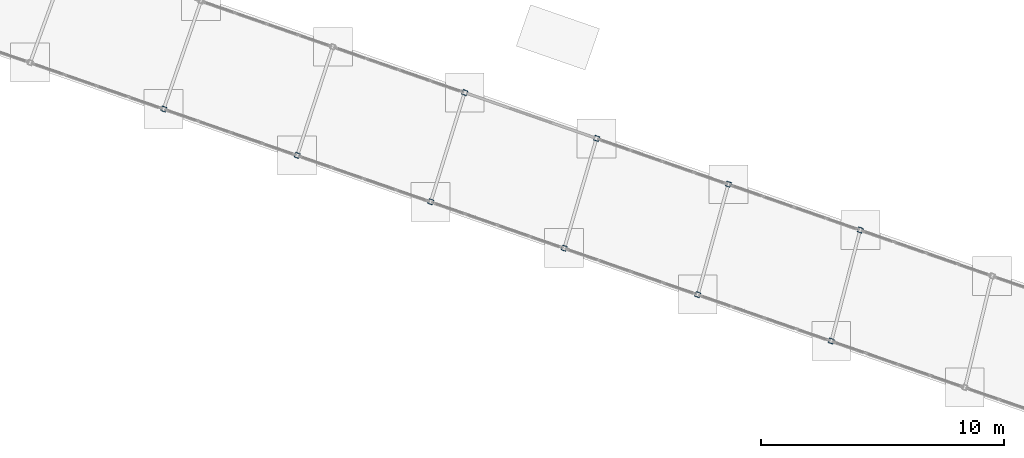
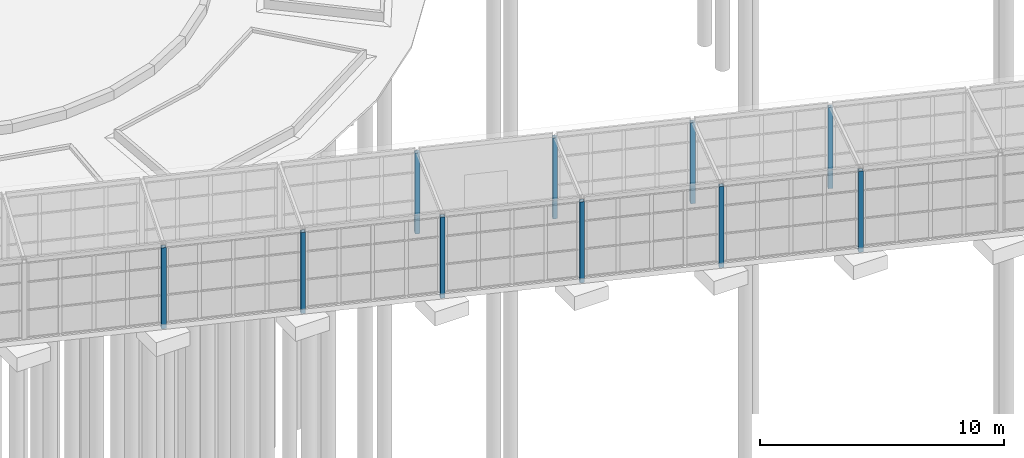
# One storey, part 16 of 226: 10 columns.
"""IFC4 building model written with IfcOpenShell, lengths in metres."""

from ifc_helpers import new_model, si_unit, direction, frame, origin, origin_2d, place, context, subcontext, project, spatial, hollow_rectangle, extrude, material, material_profile, profile_set, type_object, element, save


model = new_model("IFC4")

# Units and contexts
model_context = context("Model", 3, precision=1e-05, world=origin(), true_north=direction((0.0, 1.0)))
body_context = subcontext(model_context, "Body", "Model", "MODEL_VIEW")
ifc_project = project(units=[si_unit("LENGTHUNIT", "METRE"), si_unit("AREAUNIT", "SQUARE_METRE"), si_unit("VOLUMEUNIT", "CUBIC_METRE"), si_unit("PLANEANGLEUNIT", "RADIAN"), si_unit("MASSUNIT", "GRAM", prefix="KILO")], contexts=[model_context])

# Site, building, storey
site_placement = place(None, origin())
site = spatial("IfcSite", under=ifc_project, at=site_placement, CompositionType="ELEMENT")
building_placement = place(site_placement, origin())
building = spatial("IfcBuilding", under=site, at=building_placement, Name="Ceibo Conservatory and Research Tower", CompositionType="ELEMENT")
storey_placement = place(building_placement, origin())
storey = spatial("IfcBuildingStorey", under=building, at=storey_placement, Name="L00", CompositionType="ELEMENT", Elevation=0.0)

# Columns
ifc_material = material(Name="Steel S355J2H", Category="steel")
ifc_material_profile = material_profile(ifc_material, hollow_rectangle(XDim=0.199951171875, YDim=0.199951171875, WallThickness=0.010009765625, at=origin_2d()), Name="RHS column 200x200x10")
ifc_profile_set = profile_set([ifc_material_profile], Name="Steel S355J2H")
column_type = type_object("IfcColumnType", Name="RHS column 200x200x10", PredefinedType="COLUMN", material=ifc_profile_set)
for number, where, z_axis, x_axis, name in (
    (1, (92.1875, 56.14306640625, -0.25), (0.0, 0.0, 1.0), (0.944579236191, -0.328283515513, 0.0), "Gallery column AUD-VC-CS05"),
    (2, (97.67578125, 54.235595703125, -0.25), (0.0, 0.0, 1.0), (0.944579236191, -0.328283515513, 0.0), "Gallery column AUD-VC-CS06"),
    (3, (104.563720703125, 56.8173828125, -0.25), (0.0, 0.0, 1.0), (0.944579236191, -0.328283515513, 0.0), "Gallery column AUD-VC-CN07"),
    (4, (103.1640625, 52.328125, -0.25), (0.0, 0.0, 1.0), (0.944579236191, -0.328283515513, 0.0), "Gallery column AUD-VC-CS07"),
    (5, (109.984375, 54.93359375, -0.25), (0.0, 0.0, 1.0), (0.944579236191, -0.328283515513, 0.0), "Gallery column AUD-VC-CN08"),
    (6, (108.65234375, 50.420654296875, -0.25), (0.0, 0.0, 1.0), (0.944579236191, -0.328283515513, 0.0), "Gallery column AUD-VC-CS08"),
    (7, (115.40478515625, 53.049560546875, -0.25), (0.0, 0.0, 1.0), (0.944579236191, -0.328283515513, 0.0), "Gallery column AUD-VC-CN09"),
    (8, (114.140625, 48.51318359375, -0.25), (0.0, 0.0, 1.0), (0.944579236191, -0.328283515513, 0.0), "Gallery column AUD-VC-CS09"),
    (9, (120.825439453125, 51.165771484375, -0.25), (0.0, 0.0, 1.0), (0.944579236191, -0.328283515513, 0.0), "Gallery column AUD-VC-CN10"),
    (10, (119.62890625, 46.60595703125, -0.25), (0.0, 0.0, 1.0), (0.944579236191, -0.328283515513, 0.0), "Gallery column AUD-VC-CS10"),
):
    element("IfcColumn", number, at=place(storey_placement, frame(where, z_axis=z_axis, x_axis=x_axis)), inside=storey, type_object=column_type, Name=name, PredefinedType="COLUMN", context=body_context, shape_type="SweptSolid", body=[
        extrude(hollow_rectangle(XDim=0.199951171875, YDim=0.199951171875, WallThickness=0.010009765625, at=origin_2d()), origin(), (0.0, 0.0, 1.0), 4.050048828125),
    ])

save(model, "model.ifc")
